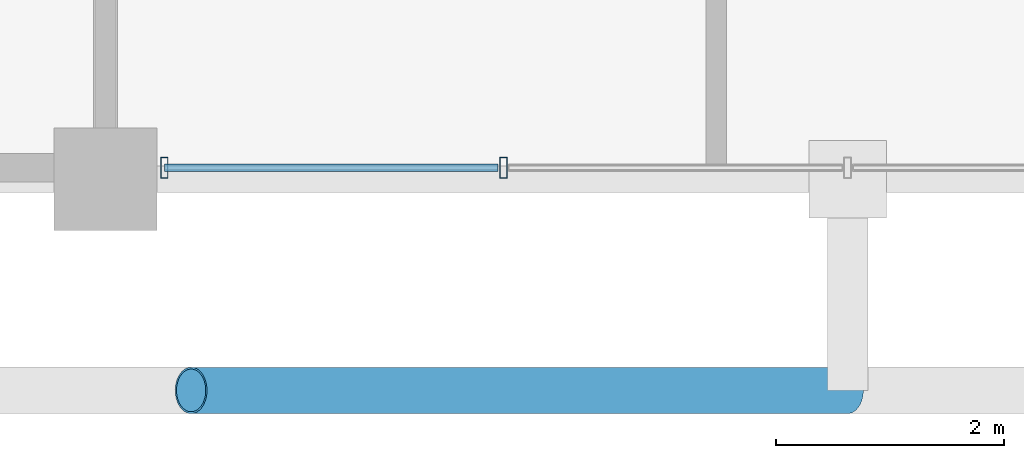
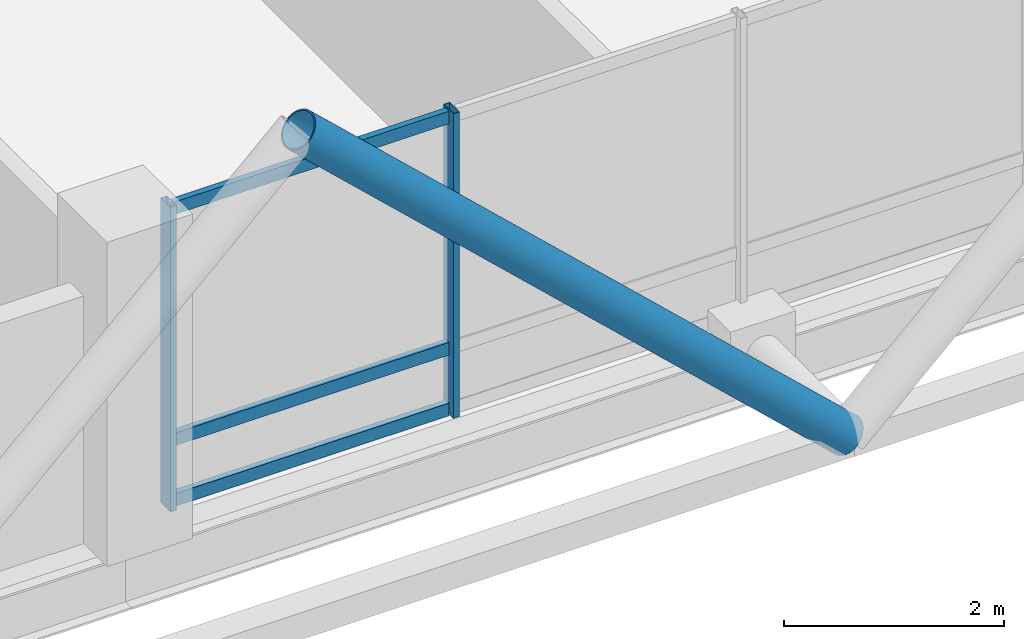
# One storey, part 2 of 24: 6 members, 1 element without a shape of its own.
"""IFC4 building model written with IfcOpenShell, lengths in metres."""

from ifc_helpers import new_model, si_unit, direction, frame, origin, origin_2d, place, context, subcontext, project, spatial, hollow_rectangle, hollow_circle, extrude, material, layer, layer_set, material_profile, profile_set, type_object, element, aggregate, save


model = new_model("IFC4")

# Units and contexts
model_context = context("Model", 3, precision=1e-05, world=origin(), true_north=direction((0.0, 1.0)))
body_context = subcontext(model_context, "Body", "Model", "MODEL_VIEW")
ifc_project = project(units=[si_unit("LENGTHUNIT", "METRE"), si_unit("AREAUNIT", "SQUARE_METRE"), si_unit("VOLUMEUNIT", "CUBIC_METRE"), si_unit("PLANEANGLEUNIT", "RADIAN"), si_unit("MASSUNIT", "GRAM", prefix="KILO")], contexts=[model_context])

# Site, building, storey
site_placement = place(None, origin())
site = spatial("IfcSite", under=ifc_project, at=site_placement, CompositionType="ELEMENT")
building_placement = place(site_placement, origin())
building = spatial("IfcBuilding", under=site, at=building_placement, Name="Barlavira Tower and Art Museum", CompositionType="ELEMENT")
storey_placement = place(building_placement, frame((0.0, 0.0, 251.10009765625)))
storey = spatial("IfcBuildingStorey", under=building, at=storey_placement, Name="L65", CompositionType="ELEMENT", Elevation=251.10009765625)

# Curtain wall, members
ifc_material_1 = material(Name="Low-iron coastal laminated glass", Category="glass")
ifc_layer = layer(ifc_material_1, 0.2099609375, Name="Low-iron coastal laminated glass")
ifc_layer_set = layer_set([ifc_layer], Name="Low-iron coastal laminated glass")
curtain_wall_type = type_object("IfcCurtainWallType", Name="Pale-Metal Unitised Curtain Wall Zone 4", PredefinedType="NOTDEFINED", material=ifc_layer_set)
curtain_wall_placement = place(storey_placement, origin())
curtain_wall = element("IfcCurtainWall", 1, at=curtain_wall_placement, inside=storey, type_object=curtain_wall_type, Name="L65 Curtain Wall CW4-L65-S-B2", PredefinedType="NOTDEFINED")
ifc_material_2 = material(Name="Pale anodised aluminium", Category="aluminium")
ifc_material_profile_1 = material_profile(ifc_material_2, hollow_rectangle(XDim=0.06494140625, YDim=0.179931640625, WallThickness=0.00390625, at=origin_2d()), Name="ALU-MULL 65x180x4")
ifc_profile_set_1 = profile_set([ifc_material_profile_1], Name="Pale anodised aluminium")
member_type_1 = type_object("IfcMemberType", Name="Curtain Wall Pale-Metal Mullion 65x180", PredefinedType="MULLION", material=ifc_profile_set_1)
member_1_placement = place(storey_placement, frame((-5.985107421875, -19.89990234375, 0.0), z_axis=(0.0, 0.0, 1.0), x_axis=(1.0, 0.0, 0.0)))
member_1 = element("IfcMember", 2, at=member_1_placement, type_object=member_type_1, Name="CW4-L65-S-B2 Mullion 0", PredefinedType="MULLION", context=body_context, shape_type="SweptSolid", body=[
    extrude(hollow_rectangle(XDim=0.06494140625, YDim=0.179931640625, WallThickness=0.00390625, at=origin_2d()), origin(), (0.0, 0.0, 1.0), 3.3798828125),
])
member_2_placement = place(storey_placement, frame((-3.014892578125, -19.89990234375, 0.0), z_axis=(0.0, 0.0, 1.0), x_axis=(1.0, 0.0, 0.0)))
member_2 = element("IfcMember", 3, at=member_2_placement, type_object=member_type_1, Name="CW4-L65-S-B2 Mullion 1", PredefinedType="MULLION", context=body_context, shape_type="SweptSolid", body=[
    extrude(hollow_rectangle(XDim=0.06494140625, YDim=0.179931640625, WallThickness=0.00390625, at=origin_2d()), origin(), (0.0, 0.0, 1.0), 3.3798828125),
])
ifc_material_profile_2 = material_profile(ifc_material_2, hollow_rectangle(XDim=0.06494140625, YDim=0.139892578125, WallThickness=0.00390625, at=origin_2d()), Name="ALU-TRAN 65x140x4")
ifc_profile_set_2 = profile_set([ifc_material_profile_2], Name="Pale anodised aluminium")
member_type_2 = type_object("IfcMemberType", Name="Curtain Wall Pale-Metal Transom 65x140", PredefinedType="USERDEFINED", material=ifc_profile_set_2)
member_3_placement = place(storey_placement, frame((-5.985107421875, -19.89990234375, 0.06982421875), z_axis=(1.0, 0.0, 0.0), x_axis=(0.0, 1.0, 0.0)))
member_3 = element("IfcMember", 4, at=member_3_placement, type_object=member_type_2, Name="CW4-L65-S-B2 Transom 0.1", ObjectType="TRANSOM", PredefinedType="USERDEFINED", context=body_context, shape_type="SweptSolid", body=[
    extrude(hollow_rectangle(XDim=0.06494140625, YDim=0.139892578125, WallThickness=0.00390625, at=origin_2d()), origin(), (0.0, 0.0, 1.0), 2.925048828125),
])
member_4_placement = place(storey_placement, frame((-5.985107421875, -19.89990234375, 0.743896484375), z_axis=(1.0, 0.0, 0.0), x_axis=(0.0, 1.0, 0.0)))
member_4 = element("IfcMember", 5, at=member_4_placement, type_object=member_type_2, Name="CW4-L65-S-B2 Transom 0.2", ObjectType="TRANSOM", PredefinedType="USERDEFINED", context=body_context, shape_type="SweptSolid", body=[
    extrude(hollow_rectangle(XDim=0.06494140625, YDim=0.139892578125, WallThickness=0.00390625, at=origin_2d()), origin(), (0.0, 0.0, 1.0), 2.925048828125),
])
member_5_placement = place(storey_placement, frame((-5.985107421875, -19.89990234375, 3.309814453125), z_axis=(1.0, 0.0, 0.0), x_axis=(0.0, 1.0, 0.0)))
member_5 = element("IfcMember", 6, at=member_5_placement, type_object=member_type_2, Name="CW4-L65-S-B2 Transom 0.3", ObjectType="TRANSOM", PredefinedType="USERDEFINED", context=body_context, shape_type="SweptSolid", body=[
    extrude(hollow_rectangle(XDim=0.06494140625, YDim=0.139892578125, WallThickness=0.00390625, at=origin_2d()), origin(), (0.0, 0.0, 1.0), 2.925048828125),
])
aggregate(curtain_wall, [member_1, member_2, member_3, member_4, member_5])

# Member
ifc_material_3 = material(Name="Steel S355", Category="steel")
ifc_material_profile_3 = material_profile(ifc_material_3, hollow_circle(Radius=0.203125, WallThickness=0.01611328125, at=origin_2d()), Name="CHS 406.4x16.0")
ifc_profile_set_3 = profile_set([ifc_material_profile_3], Name="Steel S355")
member_type_3 = type_object("IfcMemberType", Name="Pale-Metal Exoskeleton Diagrid Tube CHS 406x16 Steel S355", PredefinedType="BRACE", material=ifc_profile_set_3)
member_6_placement = place(storey_placement, frame((0.0, -21.85009765625, -0.1201171875), z_axis=(-0.728950095515, 0.0, 0.684566839869), x_axis=(0.0, -1.0, 0.0)))
element("IfcMember", 7, at=member_6_placement, inside=storey, type_object=member_type_3, Name="L65 Exoskeleton Diagrid Tube S", PredefinedType="BRACE", context=body_context, shape_type="SweptSolid", body=[
    extrude(hollow_circle(Radius=0.203125, WallThickness=0.01611328125, at=origin_2d()), origin(), (0.0, 0.0, 1.0), 7.887939453125),
])

save(model, "model.ifc")
